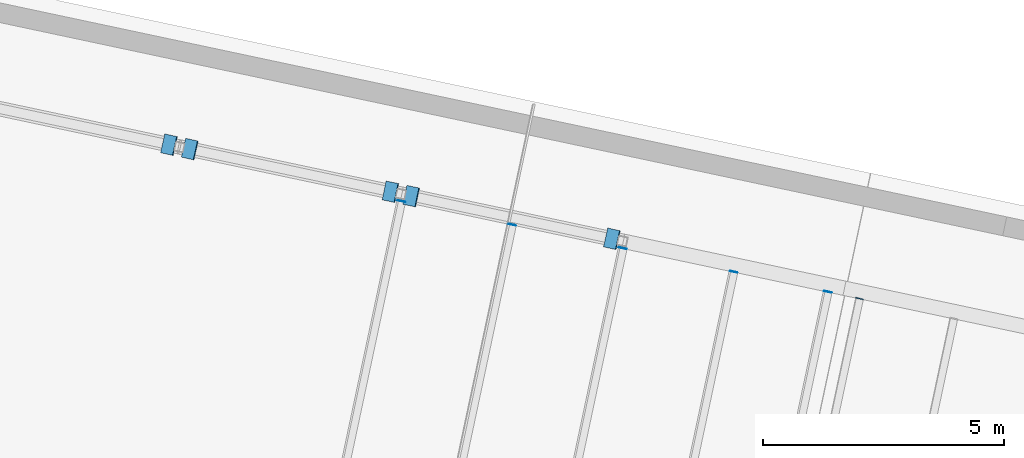
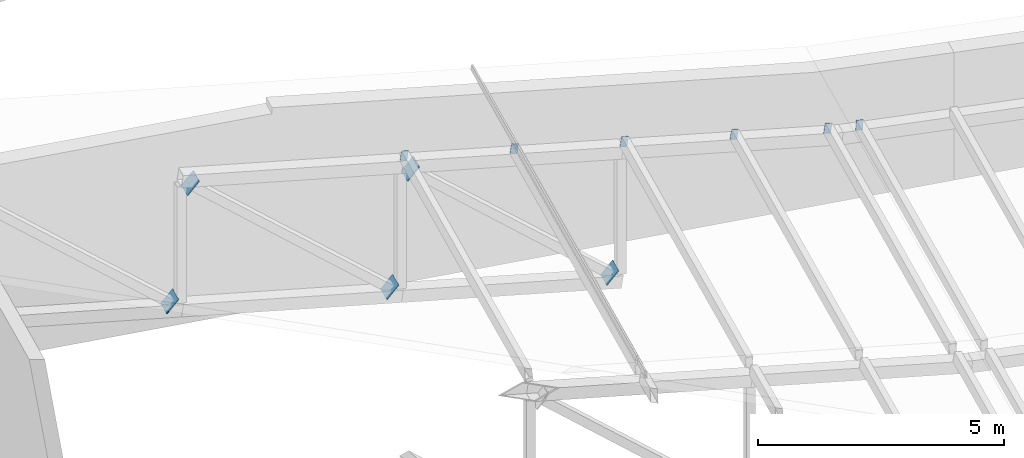
# One storey, part 167 of 196: 11 discrete accessories.
"""IFC4 building model written with IfcOpenShell, lengths in metres."""

from ifc_helpers import new_model, si_unit, direction, frame, origin, origin_2d, place, context, subcontext, project, spatial, rectangle, extrude, material, layer, layer_set, type_object, element, save


model = new_model("IFC4")

# Units and contexts
model_context = context("Model", 3, precision=1e-05, world=origin(), true_north=direction((0.0, 1.0)))
body_context = subcontext(model_context, "Body", "Model", "MODEL_VIEW")
ifc_project = project(units=[si_unit("LENGTHUNIT", "METRE"), si_unit("AREAUNIT", "SQUARE_METRE"), si_unit("VOLUMEUNIT", "CUBIC_METRE"), si_unit("PLANEANGLEUNIT", "RADIAN"), si_unit("MASSUNIT", "GRAM", prefix="KILO")], contexts=[model_context])

# Site, building, storey
site_placement = place(None, origin())
site = spatial("IfcSite", under=ifc_project, at=site_placement, CompositionType="ELEMENT")
building_placement = place(site_placement, origin())
building = spatial("IfcBuilding", under=site, at=building_placement, Name="Okhra Congress Centre", CompositionType="ELEMENT")
storey_placement = place(building_placement, frame((0.0, 0.0, 12.0)))
storey = spatial("IfcBuildingStorey", under=building, at=storey_placement, Name="L02", CompositionType="ELEMENT", Elevation=12.0)

# Discrete accessories
ifc_material = material(Name="Steel S355J2", Category="steel")
ifc_layer_1 = layer(ifc_material, 0.02001953125)
ifc_layer_set_1 = layer_set([ifc_layer_1], Name="Brace end connection plate 20 mm S355")
discrete_accessory_type_1 = type_object("IfcDiscreteAccessoryType", Name="Brace end connection plate 20 mm S355", PredefinedType="BRACKET", material=ifc_layer_set_1)
for number, where, z_axis, x_axis, name in (
    (1, (213.15966796875, 136.31591796875, 1.912841796875), (0.754975587422, -0.17047835845, -0.633205331387), (0.220260871435, 0.975441002068, 0.0), "Brace end connection plate"),
    (2, (213.606689453125, 136.220703125, 4.737548828125), (-0.754975587422, 0.17047835845, 0.633205331387), (-0.220260871435, -0.975441002068, 0.0), "Brace end connection plate"),
    (3, (217.757080078125, 135.338623046875, 1.25244140625), (0.756491435081, -0.158619171872, -0.634476687487), (0.205214844297, 0.978716949726, 0.0), "Brace end connection plate"),
    (4, (218.2041015625, 135.24365234375, 4.076904296875), (-0.756491435081, 0.158619171872, 0.634476687487), (-0.205214844297, -0.978716949726, 0.0), "Brace end connection plate"),
    (5, (222.354248046875, 134.361572265625, 0.591796875), (0.754975587422, -0.17047835845, -0.633205331387), (0.220260871435, 0.975441002068, 0.0), "Brace end connection plate"),
):
    element("IfcDiscreteAccessory", number, at=place(storey_placement, frame(where, z_axis=z_axis, x_axis=x_axis)), inside=storey, type_object=discrete_accessory_type_1, Name=name, PredefinedType="BRACKET", context=body_context, shape_type="SweptSolid", body=[
        extrude(rectangle(XDim=0.39990234375, YDim=0.39990234375, at=origin_2d()), origin(), (0.0, 0.0, 1.0), 0.02001953125),
    ])
ifc_layer_2 = layer(ifc_material, 0.011962890625)
ifc_layer_set_2 = layer_set([ifc_layer_2], Name="Hollow section end cap 12 mm S355")
discrete_accessory_type_2 = type_object("IfcDiscreteAccessoryType", Name="Hollow section end cap 12 mm S355", PredefinedType="BRACKET", material=ifc_layer_set_2)
for number, where, z_axis, x_axis, name in (
    (6, (217.98681640625, 135.136474609375, 4.537109375), (0.203954254112, 0.978980419738, 0.0), (-0.969453049589, 0.201969385331, 0.13917310096), "Hollow section end cap"),
    (7, (220.285400390625, 134.64794921875, 4.206787109375), (0.203954254112, 0.978980419738, 0.0), (-0.969453049589, 0.201969385331, 0.13917310096), "Hollow section end cap"),
    (8, (222.583984375, 134.1591796875, 3.87646484375), (0.223376156329, 0.974732318528, 0.0), (-0.965246290609, 0.221202274931, 0.13917310096), "Hollow section end cap"),
    (9, (224.8828125, 133.670654296875, 3.546142578125), (0.203954254112, 0.978980419738, 0.0), (-0.969453049589, 0.201969385331, 0.13917310096), "Hollow section end cap"),
    (10, (226.839111328125, 133.2548828125, 3.26513671875), (0.203954254112, 0.978980419738, 0.0), (-0.969453049589, 0.201969385331, 0.13917310096), "Hollow section end cap"),
    (11, (227.500244140625, 133.1142578125, 3.199951171875), (0.223376156329, 0.974732318528, 0.0), (-0.973396481762, 0.22307002707, 0.052335956243), "Hollow section end cap"),
):
    element("IfcDiscreteAccessory", number, at=place(storey_placement, frame(where, z_axis=z_axis, x_axis=x_axis)), inside=storey, type_object=discrete_accessory_type_2, Name=name, PredefinedType="BRACKET", context=body_context, shape_type="SweptSolid", body=[
        extrude(rectangle(XDim=0.14990234375, YDim=0.25, at=origin_2d()), origin(), (0.0, 0.0, 1.0), 0.011962890625),
    ])

save(model, "model.ifc")
